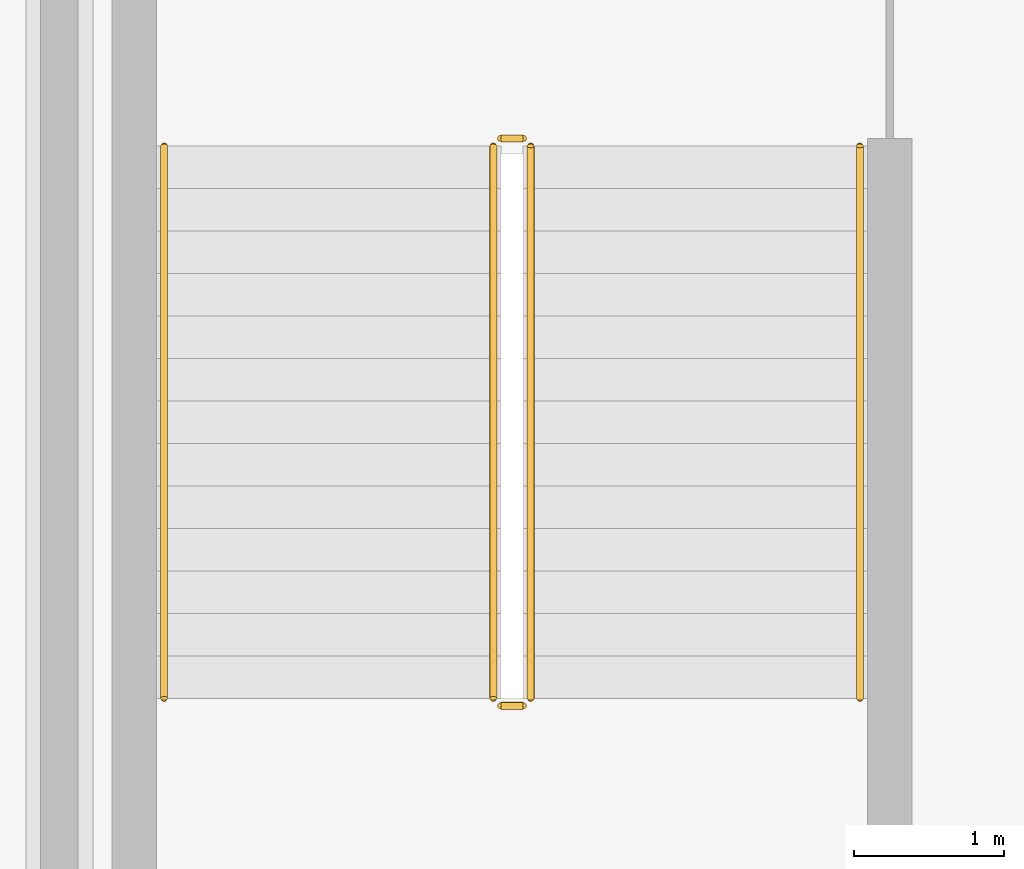
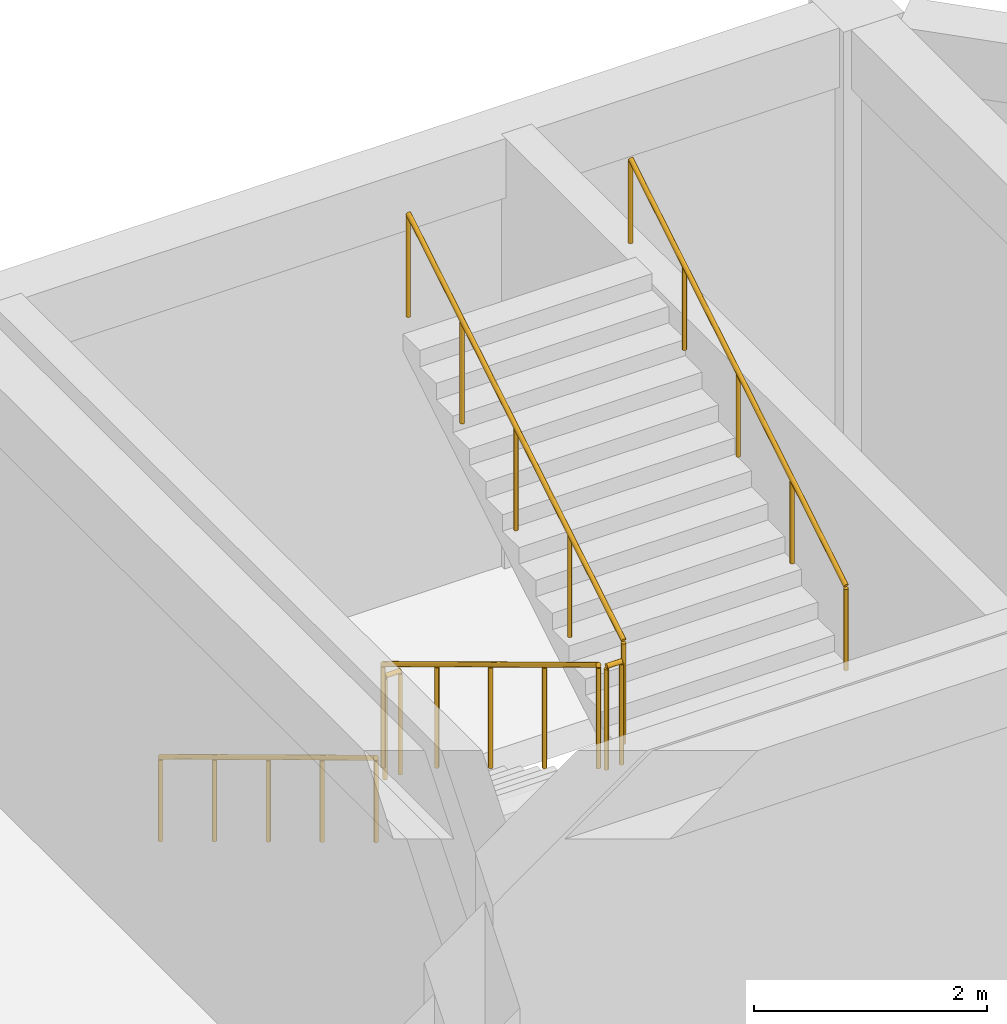
# One storey, part 27 of 27: 6 railings.
"""IFC4 building model written with IfcOpenShell, lengths in metres."""

from ifc_helpers import new_model, si_unit, direction, frame, origin, origin_2d, place, context, subcontext, project, spatial, circle, extrude, material, type_object, element, save


model = new_model("IFC4")

# Units and contexts
model_context = context("Model", 3, precision=1e-05, world=origin(), true_north=direction((0.0, 1.0)))
body_context = subcontext(model_context, "Body", "Model", "MODEL_VIEW")
ifc_project = project(units=[si_unit("LENGTHUNIT", "METRE"), si_unit("AREAUNIT", "SQUARE_METRE"), si_unit("VOLUMEUNIT", "CUBIC_METRE"), si_unit("PLANEANGLEUNIT", "RADIAN"), si_unit("MASSUNIT", "GRAM", prefix="KILO")], contexts=[model_context])

# Site, building, storey
site_placement = place(None, origin())
site = spatial("IfcSite", under=ifc_project, at=site_placement, CompositionType="ELEMENT")
building_placement = place(site_placement, origin())
building = spatial("IfcBuilding", under=site, at=building_placement, Name="Dhurran Vertical Campus", CompositionType="ELEMENT")
storey_placement = place(building_placement, frame((0.0, 0.0, 10.800048828125)))
storey = spatial("IfcBuildingStorey", under=building, at=storey_placement, Name="L02", CompositionType="ELEMENT", Elevation=10.800048828125)

# Railings
ifc_material_1 = material(Name="Steel S355J2H", Category="steel")
railing_type_1 = type_object("IfcRailingType", Name="hl-stair guard 1100", PredefinedType="GUARDRAIL", material=ifc_material_1)
railing_1_placement = place(storey_placement, frame((118.39990234375, 24.550048828125, 0.17138671875)))
element("IfcRailing", 1, at=railing_1_placement, inside=storey, type_object=railing_type_1, Name="L02 HST2 stair guard 1", PredefinedType="GUARDRAIL", context=body_context, shape_type="SweptSolid", body=[
    extrude(circle(Radius=0.02392578125, at=origin_2d()), frame((0.0, 0.0, 1.076171875), z_axis=(0.0, -0.85613627591, 0.516750110858), x_axis=(1.0, 0.0, 0.0)), (0.0, 0.0, 1.0), 4.3125),
    extrude(circle(Radius=0.02099609375, at=origin_2d()), origin(), (0.0, 0.0, 1.0), 1.052001953125),
    extrude(circle(Radius=0.02099609375, at=origin_2d()), frame((0.0, -0.923095703125, 0.55712890625)), (0.0, 0.0, 1.0), 1.052001953125),
    extrude(circle(Radius=0.02099609375, at=origin_2d()), frame((0.0, -1.84619140625, 1.1142578125)), (0.0, 0.0, 1.0), 1.052001953125),
    extrude(circle(Radius=0.02099609375, at=origin_2d()), frame((0.0, -2.76904296875, 1.67138671875)), (0.0, 0.0, 1.0), 1.052001953125),
    extrude(circle(Radius=0.02099609375, at=origin_2d()), frame((0.0, -3.692138671875, 2.228515625)), (0.0, 0.0, 1.0), 1.052001953125),
])
railing_2_placement = place(storey_placement, frame((118.449951171875, 20.80810546875, 2.39990234375)))
element("IfcRailing", 2, at=railing_2_placement, inside=storey, type_object=railing_type_1, Name="L02 HST2 stair guard 2", PredefinedType="GUARDRAIL", context=body_context, shape_type="SweptSolid", body=[
    extrude(circle(Radius=0.02392578125, at=origin_2d()), frame((0.0, 0.0, 1.076171875), z_axis=(1.0, 0.0, 0.0), x_axis=(0.0, 1.0, 0.0)), (0.0, 0.0, 1.0), 0.150146484375),
    extrude(circle(Radius=0.02099609375, at=origin_2d()), origin(), (0.0, 0.0, 1.0), 1.052001953125),
    extrude(circle(Radius=0.02099609375, at=origin_2d()), frame((0.150146484375, 0.0, 0.0)), (0.0, 0.0, 1.0), 1.052001953125),
])
railing_3_placement = place(storey_placement, frame((118.64990234375, 20.85791015625, 2.5712890625)))
element("IfcRailing", 3, at=railing_3_placement, inside=storey, type_object=railing_type_1, Name="L02 HST2 stair guard 3", PredefinedType="GUARDRAIL", context=body_context, shape_type="SweptSolid", body=[
    extrude(circle(Radius=0.02392578125, at=origin_2d()), frame((0.0, 0.0, 1.076171875), z_axis=(0.0, 0.856111230211, 0.516791603557), x_axis=(-1.0, 0.0, 0.0)), (0.0, 0.0, 1.0), 4.312744140625),
    extrude(circle(Radius=0.02099609375, at=origin_2d()), origin(), (0.0, 0.0, 1.0), 1.052001953125),
    extrude(circle(Radius=0.02099609375, at=origin_2d()), frame((0.0, 0.923095703125, 0.55712890625)), (0.0, 0.0, 1.0), 1.052001953125),
    extrude(circle(Radius=0.02099609375, at=origin_2d()), frame((0.0, 1.84619140625, 1.1142578125)), (0.0, 0.0, 1.0), 1.052001953125),
    extrude(circle(Radius=0.02099609375, at=origin_2d()), frame((0.0, 2.76904296875, 1.671630859375)), (0.0, 0.0, 1.0), 1.052001953125),
    extrude(circle(Radius=0.02099609375, at=origin_2d()), frame((0.0, 3.692138671875, 2.228759765625)), (0.0, 0.0, 1.0), 1.052001953125),
])
railing_4_placement = place(storey_placement, frame((118.449951171875, 24.60009765625, 0.0)))
element("IfcRailing", 4, at=railing_4_placement, inside=storey, type_object=railing_type_1, Name="L02 HST2 stair guard 4", PredefinedType="GUARDRAIL", context=body_context, shape_type="SweptSolid", body=[
    extrude(circle(Radius=0.02392578125, at=origin_2d()), frame((0.0, 0.0, 1.076171875), z_axis=(1.0, 0.0, 0.0), x_axis=(0.0, 1.0, 0.0)), (0.0, 0.0, 1.0), 0.150146484375),
    extrude(circle(Radius=0.02099609375, at=origin_2d()), origin(), (0.0, 0.0, 1.0), 1.052001953125),
    extrude(circle(Radius=0.02099609375, at=origin_2d()), frame((0.150146484375, 0.0, 0.0)), (0.0, 0.0, 1.0), 1.052001953125),
])
ifc_material_2 = material(Name="Steel S355J2H", Category="steel")
railing_type_2 = type_object("IfcRailingType", Name="hl-stair handrail", PredefinedType="HANDRAIL", material=ifc_material_2)
railing_5_placement = place(storey_placement, frame((116.199951171875, 24.550048828125, 0.17138671875)))
element("IfcRailing", 5, at=railing_5_placement, inside=storey, type_object=railing_type_2, Name="L02 HST2 stair handrail 1", PredefinedType="HANDRAIL", context=body_context, shape_type="SweptSolid", body=[
    extrude(circle(Radius=0.02392578125, at=origin_2d()), frame((0.0, 0.0, 0.8759765625), z_axis=(0.0, -0.85613627591, 0.516750110858), x_axis=(1.0, 0.0, 0.0)), (0.0, 0.0, 1.0), 4.3125),
    extrude(circle(Radius=0.02099609375, at=origin_2d()), origin(), (0.0, 0.0, 1.0), 0.851806640625),
    extrude(circle(Radius=0.02099609375, at=origin_2d()), frame((0.0, -0.923095703125, 0.55712890625)), (0.0, 0.0, 1.0), 0.851806640625),
    extrude(circle(Radius=0.02099609375, at=origin_2d()), frame((0.0, -1.84619140625, 1.1142578125)), (0.0, 0.0, 1.0), 0.851806640625),
    extrude(circle(Radius=0.02099609375, at=origin_2d()), frame((0.0, -2.76904296875, 1.67138671875)), (0.0, 0.0, 1.0), 0.851806640625),
    extrude(circle(Radius=0.02099609375, at=origin_2d()), frame((0.0, -3.692138671875, 2.228515625)), (0.0, 0.0, 1.0), 0.851806640625),
])
railing_6_placement = place(storey_placement, frame((120.85009765625, 20.85791015625, 2.5712890625)))
element("IfcRailing", 6, at=railing_6_placement, inside=storey, type_object=railing_type_2, Name="L02 HST2 stair handrail 2", PredefinedType="HANDRAIL", context=body_context, shape_type="SweptSolid", body=[
    extrude(circle(Radius=0.02392578125, at=origin_2d()), frame((0.0, 0.0, 0.8759765625), z_axis=(0.0, 0.856111230211, 0.516791603557), x_axis=(-1.0, 0.0, 0.0)), (0.0, 0.0, 1.0), 4.312744140625),
    extrude(circle(Radius=0.02099609375, at=origin_2d()), origin(), (0.0, 0.0, 1.0), 0.851806640625),
    extrude(circle(Radius=0.02099609375, at=origin_2d()), frame((0.0, 0.923095703125, 0.55712890625)), (0.0, 0.0, 1.0), 0.851806640625),
    extrude(circle(Radius=0.02099609375, at=origin_2d()), frame((0.0, 1.84619140625, 1.1142578125)), (0.0, 0.0, 1.0), 0.851806640625),
    extrude(circle(Radius=0.02099609375, at=origin_2d()), frame((0.0, 2.76904296875, 1.671630859375)), (0.0, 0.0, 1.0), 0.851806640625),
    extrude(circle(Radius=0.02099609375, at=origin_2d()), frame((0.0, 3.692138671875, 2.228759765625)), (0.0, 0.0, 1.0), 0.851806640625),
])

save(model, "model.ifc")
